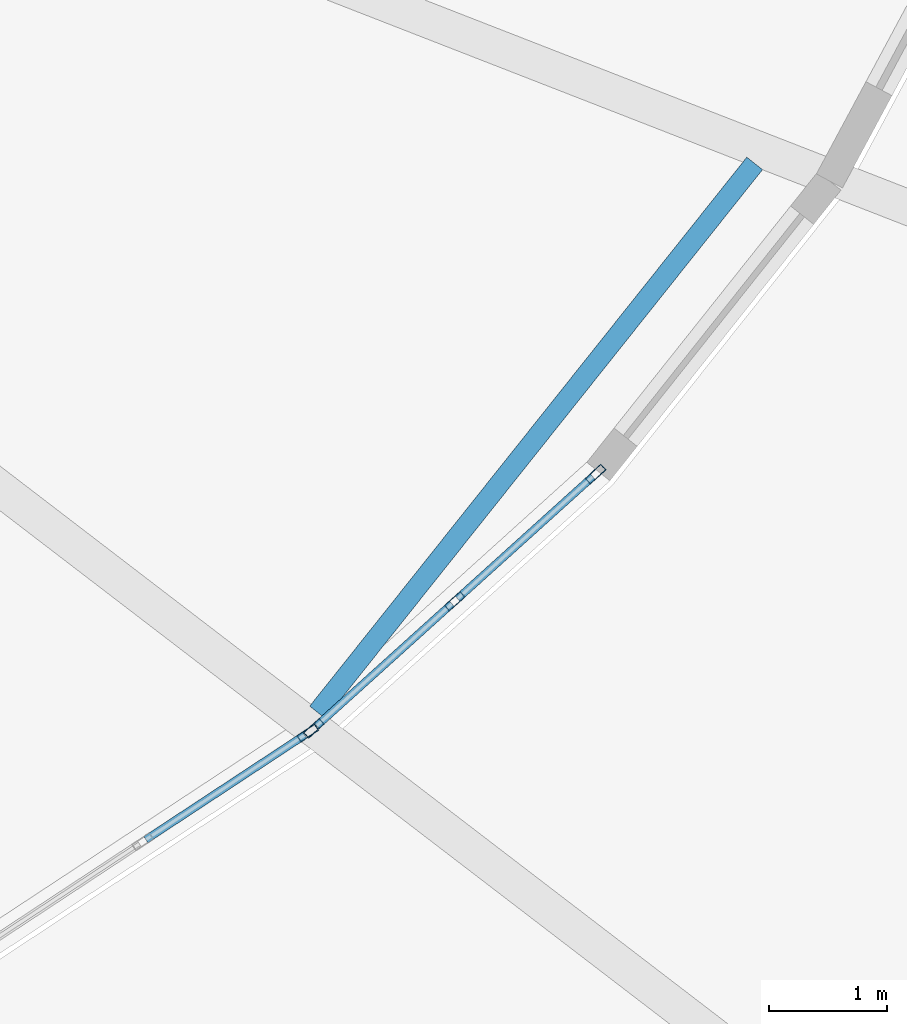
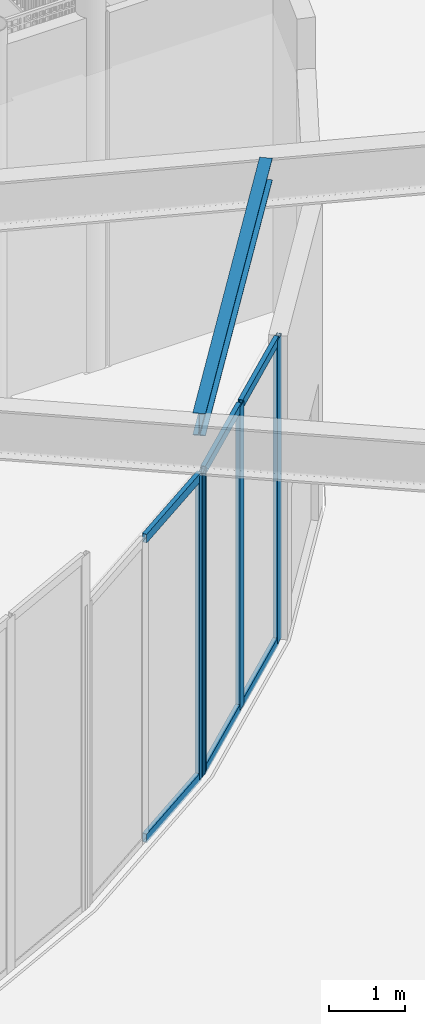
# One storey, part 14 of 46: 10 members, 1 beam, 2 elements without a shape of their own.
"""IFC4 building model written with IfcOpenShell, lengths in metres."""

from ifc_helpers import new_model, si_unit, direction, frame, origin, origin_2d, place, context, subcontext, project, spatial, hollow_rectangle, i_section, extrude, source, transform, mapped, material, layer, layer_set, material_profile, profile_set, type_object, element, aggregate, save


model = new_model("IFC4")

# Units and contexts
model_context = context("Model", 3, precision=1e-05, world=origin(), true_north=direction((0.0, 1.0)))
body_context = subcontext(model_context, "Body", "Model", "MODEL_VIEW")
ifc_project = project(units=[si_unit("LENGTHUNIT", "METRE"), si_unit("AREAUNIT", "SQUARE_METRE"), si_unit("VOLUMEUNIT", "CUBIC_METRE"), si_unit("PLANEANGLEUNIT", "RADIAN"), si_unit("MASSUNIT", "GRAM", prefix="KILO")], contexts=[model_context])

# Site, building, storey
site_placement = place(None, origin())
site = spatial("IfcSite", under=ifc_project, at=site_placement, CompositionType="ELEMENT")
building_placement = place(site_placement, origin())
building = spatial("IfcBuilding", under=site, at=building_placement, Name="Linh Dai School and Residence Tower", CompositionType="ELEMENT")
storey_placement = place(building_placement, origin())
storey = spatial("IfcBuildingStorey", under=building, at=storey_placement, Name="L00", CompositionType="ELEMENT", Elevation=0.0)

# Beam
ifc_material_1 = material(Name="Structural Steel S355JR", Category="steel")
ifc_material_profile_1 = material_profile(ifc_material_1, i_section(OverallWidth=0.169921875, OverallDepth=0.360107421875, WebThickness=0.008056640625, FlangeThickness=0.0126953125, FilletRadius=0.01806640625, at=origin_2d()), Name="IPE 360")
ifc_profile_set_1 = profile_set([ifc_material_profile_1], Name="Structural Steel S355JR")
beam_type = type_object("IfcBeamType", Name="BM-SB36", PredefinedType="BEAM", material=ifc_profile_set_1)
beam_placement = place(storey_placement, frame((52.94921875, 14.17431640625, 5.52001953125), z_axis=(0.622928179858, 0.782279031254, 0.0), x_axis=(-0.782279031254, 0.622928179858, 0.0)))
element("IfcBeam", 1, at=beam_placement, inside=storey, type_object=beam_type, Name="L00 Secondary Circumferential Floor Beam 08", PredefinedType="BEAM", context=body_context, shape_type="SweptSolid", body=[
    extrude(i_section(OverallWidth=0.169921875, OverallDepth=0.360107421875, WebThickness=0.008056640625, FlangeThickness=0.0126953125, FilletRadius=0.01806640625, at=origin_2d()), origin(), (0.0, 0.0, 1.0), 5.936767578125),
])

# Curtain wall, member
ifc_material_2 = material(Name="Aluminium Anodised Curtain Wall", Category="aluminium")
ifc_layer = layer(ifc_material_2, 0.179931640625)
ifc_layer_set = layer_set([ifc_layer], Name="Aluminium Anodised Curtain Wall")
curtain_wall_type = type_object("IfcCurtainWallType", Name="CW-SYS-1", PredefinedType="USERDEFINED", material=ifc_layer_set)
curtain_wall_1_placement = place(storey_placement, origin())
curtain_wall_1 = element("IfcCurtainWall", 2, at=curtain_wall_1_placement, inside=storey, type_object=curtain_wall_type, Name="L00 CW1 Curtain Wall 35", ObjectType="UNITISED CURTAIN WALL", PredefinedType="USERDEFINED")
ifc_material_3 = material(Name="Aluminium Alloy 6063-T6", Category="aluminium")
ifc_material_profile_2 = material_profile(ifc_material_3, hollow_rectangle(XDim=0.06494140625, YDim=0.179931640625, WallThickness=0.00390625, at=origin_2d()), Name="RHS 180x65x4")
ifc_profile_set_2 = profile_set([ifc_material_profile_2], Name="Aluminium Alloy 6063-T6")
member_type_1 = type_object("IfcMemberType", Name="CW-SYS-1-MUL", PredefinedType="MULLION", material=ifc_profile_set_2)
shared_shape_1 = source(origin(), body_context, "Body", "SweptSolid", [
    extrude(hollow_rectangle(XDim=0.06494140625, YDim=0.179931640625, WallThickness=0.00390625, at=origin_2d()), origin(), (0.0, 0.0, 1.0), 4.885009765625),
])
member_1_placement = place(storey_placement, frame((52.8671875, 13.999755859375, 0.0), z_axis=(0.0, 0.0, 1.0), x_axis=(0.54987842375, -0.835244706116, 0.0)))
member_1 = element("IfcMember", 3, at=member_1_placement, type_object=member_type_1, Name="CW1 mullion 1", PredefinedType="MULLION", context=body_context, shape_type="MappedRepresentation", body=[
    mapped(shared_shape_1, transform((0.0, 0.0, 0.0), x_axis=(1.0, 0.0, 0.0), y_axis=(0.0, 1.0, 0.0), z_axis=(0.0, 0.0, 1.0), scale=1.0)),
])

# Curtain wall, members
curtain_wall_2_placement = place(storey_placement, origin())
curtain_wall_2 = element("IfcCurtainWall", 4, at=curtain_wall_2_placement, inside=storey, type_object=curtain_wall_type, Name="L00 CW1 Curtain Wall 36", ObjectType="UNITISED CURTAIN WALL", PredefinedType="USERDEFINED")
member_2_placement = place(storey_placement, frame((55.30126953125, 16.18994140625, 0.0), z_axis=(0.0, 0.0, 1.0), x_axis=(0.669993171075, -0.742367261343, 0.0)))
member_2 = element("IfcMember", 5, at=member_2_placement, type_object=member_type_1, Name="CW1 mullion 1", PredefinedType="MULLION", context=body_context, shape_type="MappedRepresentation", body=[
    mapped(shared_shape_1, transform((0.0, 0.0, 0.0), x_axis=(1.0, 0.0, 0.0), y_axis=(0.0, 1.0, 0.0), z_axis=(0.0, 0.0, 1.0), scale=1.0)),
])
member_3_placement = place(storey_placement, frame((54.10986328125, 15.114501953125, 0.0), z_axis=(0.0, 0.0, 1.0), x_axis=(0.669993171075, -0.742367261343, 0.0)))
member_3 = element("IfcMember", 6, at=member_3_placement, type_object=member_type_1, Name="CW1 mullion 2", PredefinedType="MULLION", context=body_context, shape_type="MappedRepresentation", body=[
    mapped(shared_shape_1, transform((0.0, 0.0, 0.0), x_axis=(1.0, 0.0, 0.0), y_axis=(0.0, 1.0, 0.0), z_axis=(0.0, 0.0, 1.0), scale=1.0)),
])
member_4_placement = place(storey_placement, frame((52.91845703125, 14.039306640625, 0.0), z_axis=(0.0, 0.0, 1.0), x_axis=(0.669993171075, -0.742367261343, 0.0)))
member_4 = element("IfcMember", 7, at=member_4_placement, type_object=member_type_1, Name="CW1 mullion 3", PredefinedType="MULLION", context=body_context, shape_type="MappedRepresentation", body=[
    mapped(shared_shape_1, transform((0.0, 0.0, 0.0), x_axis=(1.0, 0.0, 0.0), y_axis=(0.0, 1.0, 0.0), z_axis=(0.0, 0.0, 1.0), scale=1.0)),
])
ifc_material_profile_3 = material_profile(ifc_material_3, hollow_rectangle(XDim=0.06494140625, YDim=0.139892578125, WallThickness=0.00390625, at=origin_2d()), Name="RHS 140x65x4")
ifc_profile_set_3 = profile_set([ifc_material_profile_3], Name="Aluminium Alloy 6063-T6")
member_type_2 = type_object("IfcMemberType", Name="CW-SYS-1-TRN", PredefinedType="USERDEFINED", material=ifc_profile_set_3)
shared_shape_2 = source(origin(), body_context, "Body", "SweptSolid", [
    extrude(hollow_rectangle(XDim=0.06494140625, YDim=0.139892578125, WallThickness=0.00390625, at=origin_2d()), origin(), (0.0, 0.0, 1.0), 1.539794921875),
])
member_5_placement = place(storey_placement, frame((55.277099609375, 16.168212890625, 0.032470703125), z_axis=(-0.742331565787, -0.670032720422, 0.0), x_axis=(0.670032720422, -0.742331565787, 0.0)))
member_5 = element("IfcMember", 8, at=member_5_placement, type_object=member_type_2, Name="CW1 transom 1.1", ObjectType="TRANSOM", PredefinedType="USERDEFINED", context=body_context, shape_type="MappedRepresentation", body=[
    mapped(shared_shape_2, transform((0.0, 0.0, 0.0), x_axis=(1.0, 0.0, 0.0), y_axis=(0.0, 1.0, 0.0), z_axis=(0.0, 0.0, 1.0), scale=1.0)),
])
member_6_placement = place(storey_placement, frame((55.277099609375, 16.168212890625, 4.8525390625), z_axis=(-0.742331565787, -0.670032720422, 0.0), x_axis=(0.670032720422, -0.742331565787, 0.0)))
member_6 = element("IfcMember", 9, at=member_6_placement, type_object=member_type_2, Name="CW1 transom 1.2", ObjectType="TRANSOM", PredefinedType="USERDEFINED", context=body_context, shape_type="MappedRepresentation", body=[
    mapped(shared_shape_2, transform((0.0, 0.0, 0.0), x_axis=(1.0, 0.0, 0.0), y_axis=(0.0, 1.0, 0.0), z_axis=(0.0, 0.0, 1.0), scale=1.0)),
])
shared_shape_3 = source(origin(), body_context, "Body", "SweptSolid", [
    extrude(hollow_rectangle(XDim=0.06494140625, YDim=0.139892578125, WallThickness=0.00390625, at=origin_2d()), origin(), (0.0, 0.0, 1.0), 1.5400390625),
])
member_7_placement = place(storey_placement, frame((54.085693359375, 15.0927734375, 0.032470703125), z_axis=(-0.742402733314, -0.669953865254, 0.0), x_axis=(0.669953865254, -0.742402733314, 0.0)))
member_7 = element("IfcMember", 10, at=member_7_placement, type_object=member_type_2, Name="CW1 transom 2.1", ObjectType="TRANSOM", PredefinedType="USERDEFINED", context=body_context, shape_type="MappedRepresentation", body=[
    mapped(shared_shape_3, transform((0.0, 0.0, 0.0), x_axis=(1.0, 0.0, 0.0), y_axis=(0.0, 1.0, 0.0), z_axis=(0.0, 0.0, 1.0), scale=1.0)),
])
member_8_placement = place(storey_placement, frame((54.085693359375, 15.0927734375, 4.8525390625), z_axis=(-0.742402733314, -0.669953865254, 0.0), x_axis=(0.669953865254, -0.742402733314, 0.0)))
member_8 = element("IfcMember", 11, at=member_8_placement, type_object=member_type_2, Name="CW1 transom 2.2", ObjectType="TRANSOM", PredefinedType="USERDEFINED", context=body_context, shape_type="MappedRepresentation", body=[
    mapped(shared_shape_3, transform((0.0, 0.0, 0.0), x_axis=(1.0, 0.0, 0.0), y_axis=(0.0, 1.0, 0.0), z_axis=(0.0, 0.0, 1.0), scale=1.0)),
])
aggregate(curtain_wall_2, [member_2, member_3, member_4, member_5, member_6, member_7, member_8])

# Member
shared_shape_4 = source(origin(), body_context, "Body", "SweptSolid", [
    extrude(hollow_rectangle(XDim=0.06494140625, YDim=0.139892578125, WallThickness=0.00390625, at=origin_2d()), origin(), (0.0, 0.0, 1.0), 1.607666015625),
])
member_9_placement = place(storey_placement, frame((52.83984375, 13.981689453125, 0.032470703125), z_axis=(-0.835237211423, -0.549889807739, 0.0), x_axis=(0.549889807739, -0.835237211423, 0.0)))
member_9 = element("IfcMember", 12, at=member_9_placement, type_object=member_type_2, Name="CW1 transom 1.1", ObjectType="TRANSOM", PredefinedType="USERDEFINED", context=body_context, shape_type="MappedRepresentation", body=[
    mapped(shared_shape_4, transform((0.0, 0.0, 0.0), x_axis=(1.0, 0.0, 0.0), y_axis=(0.0, 1.0, 0.0), z_axis=(0.0, 0.0, 1.0), scale=1.0)),
])

member_10_placement = place(storey_placement, frame((52.83984375, 13.981689453125, 4.8525390625), z_axis=(-0.835237211423, -0.549889807739, 0.0), x_axis=(0.549889807739, -0.835237211423, 0.0)))
member_10 = element("IfcMember", 13, at=member_10_placement, type_object=member_type_2, Name="CW1 transom 1.2", ObjectType="TRANSOM", PredefinedType="USERDEFINED", context=body_context, shape_type="MappedRepresentation", body=[
    mapped(shared_shape_4, transform((0.0, 0.0, 0.0), x_axis=(1.0, 0.0, 0.0), y_axis=(0.0, 1.0, 0.0), z_axis=(0.0, 0.0, 1.0), scale=1.0)),
])

aggregate(curtain_wall_1, [member_1, member_9, member_10])

save(model, "model.ifc")
